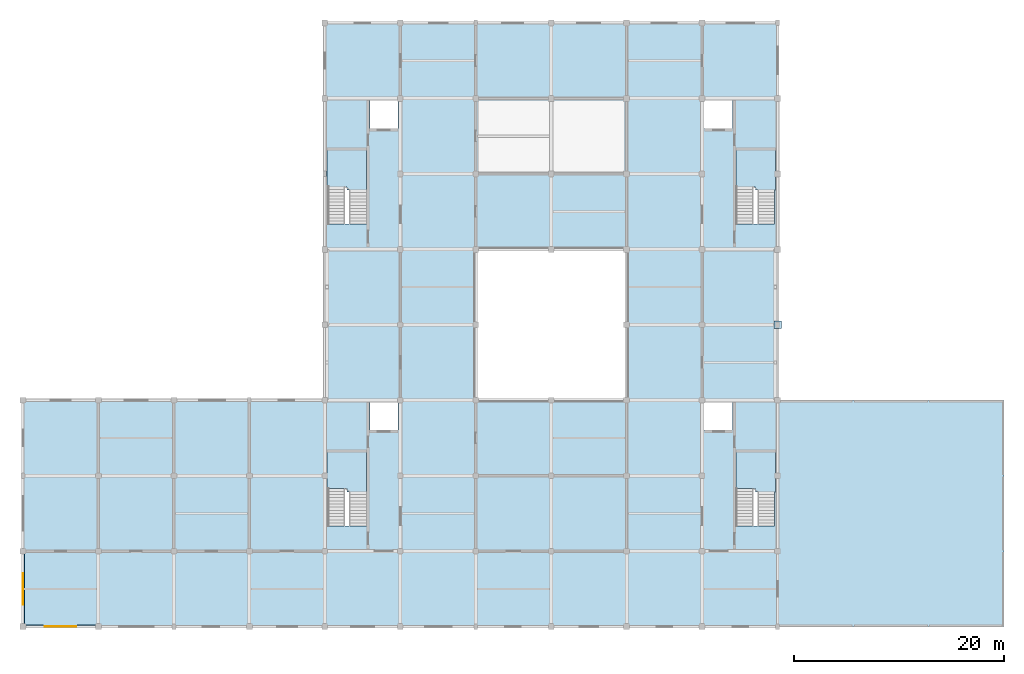
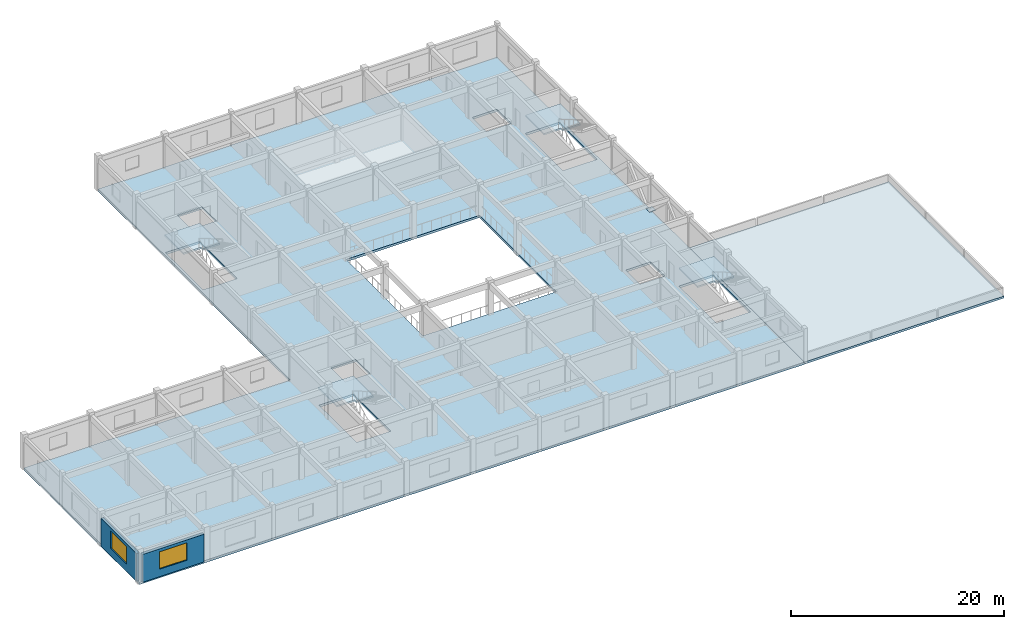
# One storey, part 3 of 8: 6 slabs, 2 walls, 2 windows, 1 plate, 2 openings, 4 elements without a shape of their own.
"""IFC4 building model written with IfcOpenShell, lengths in metres."""

import ifcopenshell
import ifcopenshell.guid

model = None  # the IFC model being written
_history = None  # IfcOwnerHistory: only IFC2X3 demands one
_inside = {}  # id of a spatial element -> (the spatial element, [elements in it])
_under = {}  # id of a project, library or spatial element -> (it, [spatial elements below it])
_declared = {}  # id of a project -> (the project, [libraries it declares])
_typed = {}  # id of a type object -> (the type object, [elements of that type])
_made_of = {}  # id of a material, layer set ... -> (it, [elements and type objects made of it])


def new_model(schema):
    """Start an empty IFC model of exactly this schema.

    Asked for "IFC4X3", IfcOpenShell would pick the latest addendum, in which some entities
    have other attributes; the version numbers below select the first issue.
    IFC2X3 requires an IfcOwnerHistory on every rooted entity: one is made here for all.
    """
    global model, _history
    if schema == "IFC4X3":
        model = ifcopenshell.file(schema_version=(4, 3, 0, 0))
    else:
        model = ifcopenshell.file(schema=schema)
    _inside.clear()
    _under.clear()
    _declared.clear()
    _typed.clear()
    _made_of.clear()
    _history = None
    if model.schema == "IFC2X3":
        org = make("IfcOrganization", Name="unknown")
        user = make(
            "IfcPersonAndOrganization",
            ThePerson=make("IfcPerson", FamilyName="unknown"),
            TheOrganization=org,
        )
        app = make(
            "IfcApplication",
            ApplicationDeveloper=org,
            Version="unknown",
            ApplicationFullName="unknown",
            ApplicationIdentifier="unknown",
        )
        _history = make(
            "IfcOwnerHistory",
            OwningUser=user,
            OwningApplication=app,
            ChangeAction="ADDED",
            CreationDate=0,
        )
    return model


def make(cls, **values):
    """One entity of the class cls with the attributes given. An attribute that is None is left unset."""
    return model.create_entity(
        cls, **{name: value for name, value in values.items() if value is not None}
    )


def rooted(cls, **values):
    """An entity with a GlobalId (a new one), such as an element, a storey or a relation."""
    return make(cls, GlobalId=ifcopenshell.guid.new(), OwnerHistory=_history, **values)


def si_unit(unit_type, name, prefix=None):
    """IfcSIUnit, for example si_unit("LENGTHUNIT", "METRE", prefix="MILLI")."""
    return make("IfcSIUnit", UnitType=unit_type, Prefix=prefix, Name=name)


def assignment(units):
    """IfcUnitAssignment: the units of a project."""
    return None if units is None else make("IfcUnitAssignment", Units=units)


def point(xyz):
    """IfcCartesianPoint."""
    return None if xyz is None else make("IfcCartesianPoint", Coordinates=xyz)


def direction(xyz):
    """IfcDirection."""
    return None if xyz is None else make("IfcDirection", DirectionRatios=xyz)


def frame(location, z_axis=None, x_axis=None):
    """IfcAxis2Placement3D, a coordinate frame: its origin and axes. An axis left out is left unset."""
    return make(
        "IfcAxis2Placement3D",
        Location=point(location),
        Axis=direction(z_axis),
        RefDirection=direction(x_axis),
    )


def frame_2d(location, x_axis=None):
    """IfcAxis2Placement2D, a coordinate frame in the plane: its origin and x axis."""
    return make(
        "IfcAxis2Placement2D", Location=point(location), RefDirection=direction(x_axis)
    )


def origin():
    """The frame at (0, 0, 0) with its axes left unset."""
    return frame((0.0, 0.0, 0.0))


def origin_2d():
    """The frame at (0, 0) in the plane with its x axis left unset."""
    return frame_2d((0.0, 0.0))


def place(relative_to, where):
    """IfcLocalPlacement: puts the frame where relative to a parent placement (None: the world)."""
    return make(
        "IfcLocalPlacement", PlacementRelTo=relative_to, RelativePlacement=where
    )


def context(
    kind, dimensions, precision=None, world=None, true_north=None, identifier=None
):
    """IfcGeometricRepresentationContext, for example the 3D "Model" context."""
    return make(
        "IfcGeometricRepresentationContext",
        ContextIdentifier=identifier,
        ContextType=kind,
        CoordinateSpaceDimension=dimensions,
        Precision=precision,
        WorldCoordinateSystem=world,
        TrueNorth=true_north,
    )


def subcontext(parent, identifier, kind, view, scale=None):
    """IfcGeometricRepresentationSubContext, for example "Body" below "Model"."""
    return make(
        "IfcGeometricRepresentationSubContext",
        ContextIdentifier=identifier,
        ContextType=kind,
        ParentContext=parent,
        TargetScale=scale,
        TargetView=view,
    )


def project(units=None, contexts=None):
    """IfcProject with its units and contexts."""
    return rooted(
        "IfcProject",
        Name="project",
        RepresentationContexts=contexts,
        UnitsInContext=assignment(units),
    )


def spatial(cls, under=None, at=None, **own):
    """A site, building, storey or space (cls), placed at a placement, below another one or the project."""
    s = rooted(cls, ObjectPlacement=at, **own)
    if under is not None:
        _under.setdefault(under.id(), (under, []))[1].append(s)
    return s


def polyline(points):
    """IfcPolyline through the points."""
    return make("IfcPolyline", Points=[point(p) for p in points])


def profile(cls, at=None, kind="AREA", **sizes):
    """A parametric profile (cls). Its sizes go by their IFC names, for example OverallWidth=200.0."""
    return make(cls, ProfileType=kind, Position=at, **sizes)


def rectangle(**sizes):
    """IfcRectangleProfileDef."""
    return profile("IfcRectangleProfileDef", **sizes)


def outline(outer, holes=None, kind="AREA"):
    """IfcArbitraryClosedProfileDef: a profile drawn as a closed curve; with holes, ...WithVoids."""
    if holes is None:
        return make("IfcArbitraryClosedProfileDef", ProfileType=kind, OuterCurve=outer)
    return make(
        "IfcArbitraryProfileDefWithVoids",
        ProfileType=kind,
        OuterCurve=outer,
        InnerCurves=holes,
    )


def extrude(swept, where, along, depth):
    """IfcExtrudedAreaSolid: the profile swept, set in the frame where, extruded along a direction by depth."""
    return make(
        "IfcExtrudedAreaSolid",
        SweptArea=swept,
        Position=where,
        ExtrudedDirection=direction(along),
        Depth=depth,
    )


def shape(context_of_items, identifier, shape_type, items):
    """IfcShapeRepresentation: the items that make up one representation, for example the "Body"."""
    return make(
        "IfcShapeRepresentation",
        ContextOfItems=context_of_items,
        RepresentationIdentifier=identifier,
        RepresentationType=shape_type,
        Items=items,
    )


def material(Name=None, Category=None):
    """IfcMaterial."""
    return make("IfcMaterial", Name=Name, Category=Category)


def layer(
    of_material, thickness, ventilated=None, Name=None, Category=None, Priority=None
):
    """IfcMaterialLayer: one layer of a wall or slab, of a material (None: an air gap)."""
    return make(
        "IfcMaterialLayer",
        Material=of_material,
        LayerThickness=thickness,
        IsVentilated=ventilated,
        Name=Name,
        Category=Category,
        Priority=Priority,
    )


def layer_set(layers, Name=None):
    """IfcMaterialLayerSet."""
    return make("IfcMaterialLayerSet", MaterialLayers=layers, LayerSetName=Name)


def made_of(thing, what):
    """Note that an element or type object is made of a material, layer set ...; save() writes the relation."""
    if what is not None:
        _made_of.setdefault(what.id(), (what, []))[1].append(thing)
    return thing


def type_object(cls, material=None, **own):
    """A type object (cls), such as IfcWallType, which elements share."""
    return made_of(rooted(cls, **own), material)


def element(
    cls,
    number,
    at=None,
    inside=None,
    cuts=None,
    type_object=None,
    material=None,
    context=None,
    identifier="Body",
    shape_type=None,
    held_by="IfcProductDefinitionShape",
    body=None,
    shapes=None,
    **own,
):
    """One element of the class cls, such as IfcWall. Its Tag is "e" and its number.

    at: its placement. inside: the storey or other place that contains it. cuts: it is an
    opening in that element (IfcRelVoidsElement). A single representation is given by context,
    identifier, shape_type and body (its items); several are given by shapes. held_by: the class
    of the entity that holds the representations. save() writes the other relations.
    """
    e = rooted(cls, Tag="e%d" % number, ObjectPlacement=at, **own)
    if body is not None:
        shapes = [shape(context, identifier, shape_type, body)]
    if shapes is not None:
        e.Representation = make(held_by, Representations=shapes)
    if inside is not None:
        _inside.setdefault(inside.id(), (inside, []))[1].append(e)
    if cuts is not None:
        rooted(
            "IfcRelVoidsElement", RelatingBuildingElement=cuts, RelatedOpeningElement=e
        )
    if type_object is not None:
        _typed.setdefault(type_object.id(), (type_object, []))[1].append(e)
    return made_of(e, material)


def fill(opening, filler):
    """IfcRelFillsElement: the door or window that sits in an opening."""
    return rooted(
        "IfcRelFillsElement",
        RelatingOpeningElement=opening,
        RelatedBuildingElement=filler,
    )


def aggregate(whole, parts):
    """IfcRelAggregates: a whole, such as a stair, and the parts it consists of."""
    return rooted("IfcRelAggregates", RelatingObject=whole, RelatedObjects=parts)


def save(model, path):
    """Write the relations noted so far, then the file.

    IfcRelAggregates (storeys below a building ...), IfcRelContainedInSpatialStructure (elements
    in a storey), IfcRelDefinesByType, IfcRelAssociatesMaterial and IfcRelDeclares: one each for
    every whole, place, type object, material and project.
    """
    for whole, parts in _under.values():
        aggregate(whole, parts)
    for where, things in _inside.values():
        rooted(
            "IfcRelContainedInSpatialStructure",
            RelatedElements=things,
            RelatingStructure=where,
        )
    for kind, things in _typed.values():
        rooted("IfcRelDefinesByType", RelatedObjects=things, RelatingType=kind)
    for what, things in _made_of.values():
        rooted("IfcRelAssociatesMaterial", RelatedObjects=things, RelatingMaterial=what)
    for by, libraries in _declared.values():
        rooted("IfcRelDeclares", RelatingContext=by, RelatedDefinitions=libraries)
    model.write(path)


model = new_model("IFC4")

# Units and contexts
model_context = context("Model", 3, precision=1e-05, world=origin(), true_north=direction((0.0, 1.0)))
body_context = subcontext(model_context, "Body", "Model", "MODEL_VIEW")
ifc_project = project(units=[si_unit("LENGTHUNIT", "METRE"), si_unit("AREAUNIT", "SQUARE_METRE"), si_unit("VOLUMEUNIT", "CUBIC_METRE"), si_unit("PLANEANGLEUNIT", "RADIAN"), si_unit("MASSUNIT", "GRAM", prefix="KILO")], contexts=[model_context])

# Site, building, storey
site_placement = place(None, origin())
site = spatial("IfcSite", under=ifc_project, at=site_placement, CompositionType="ELEMENT")
building_placement = place(site_placement, origin())
building = spatial("IfcBuilding", under=site, at=building_placement, Name="Cendaluz Park School", CompositionType="ELEMENT")
storey_placement = place(building_placement, frame((0.0, 0.0, 42.800048828125)))
storey = spatial("IfcBuildingStorey", under=building, at=storey_placement, Name="L10", CompositionType="ELEMENT", Elevation=42.800048828125)

# Plate
ifc_material_1 = material(Name="Steel S355", Category="steel")
ifc_layer_1 = layer(ifc_material_1, 0.030029296875)
ifc_layer_set_1 = layer_set([ifc_layer_1], Name="Steel S355")
plate_type = type_object("IfcPlateType", Name="GP-02", PredefinedType="SHEET", material=ifc_layer_set_1)
plate_placement = place(storey_placement, frame((108.0, 36.0, 0.0), z_axis=(0.0, 0.0, 1.0), x_axis=(1.0, 0.0, 0.0)))
element("IfcPlate", 1, at=plate_placement, inside=storey, type_object=plate_type, Name="GP-L10-BF01", PredefinedType="SHEET", context=body_context, shape_type="SweptSolid", body=[
    extrude(rectangle(XDim=0.699951171875, YDim=0.699951171875, at=origin_2d()), origin(), (0.0, 0.0, 1.0), 0.030029296875),
])

# Slab
ifc_material_2 = material(Name="Concrete C40/50", Category="concrete")
ifc_layer_2 = layer(ifc_material_2, 0.260009765625)
ifc_layer_set_2 = layer_set([ifc_layer_2], Name="Concrete C40/50")
slab_type_1 = type_object("IfcSlabType", Name="SL-FL-260", PredefinedType="FLOOR", material=ifc_layer_set_2)
slab_1_placement = place(storey_placement, frame((0.0, 0.0, -0.260009765625)))
element("IfcSlab", 2, at=slab_1_placement, inside=storey, type_object=slab_type_1, Name="SL-L10-01", PredefinedType="FLOOR", context=body_context, shape_type="SweptSolid", body=[
    extrude(outline(polyline([(64.800048828125, 64.800048828125), (108.0, 64.800048828125), (108.0, 7.199951171875), (36.0, 7.199951171875), (36.0, 28.800048828125), (64.800048828125, 28.800048828125), (64.800048828125, 64.800048828125)]), holes=[polyline([(93.60009765625, 28.800048828125), (93.60009765625, 43.199951171875), (79.199951171875, 43.199951171875), (79.199951171875, 28.800048828125), (93.60009765625, 28.800048828125)]), polyline([(68.77001953125, 16.820068359375), (68.77001953125, 23.840087890625), (65.080078125, 23.840087890625), (65.080078125, 16.820068359375), (68.77001953125, 16.820068359375)]), polyline([(69.10009765625, 25.93994140625), (71.800048828125, 25.93994140625), (71.800048828125, 28.60009765625), (69.10009765625, 28.60009765625), (69.10009765625, 25.93994140625)]), polyline([(104.030029296875, 23.840087890625), (104.030029296875, 16.820068359375), (107.719970703125, 16.820068359375), (107.719970703125, 23.840087890625), (104.030029296875, 23.840087890625)]), polyline([(103.699951171875, 28.60009765625), (101.0, 28.60009765625), (101.0, 25.93994140625), (103.699951171875, 25.93994140625), (103.699951171875, 28.60009765625)]), polyline([(68.77001953125, 45.6201171875), (68.77001953125, 52.639892578125), (65.080078125, 52.639892578125), (65.080078125, 45.6201171875), (68.77001953125, 45.6201171875)]), polyline([(69.10009765625, 54.739990234375), (71.800048828125, 54.739990234375), (71.800048828125, 57.39990234375), (69.10009765625, 57.39990234375), (69.10009765625, 54.739990234375)]), polyline([(104.030029296875, 52.639892578125), (104.030029296875, 45.6201171875), (107.719970703125, 45.6201171875), (107.719970703125, 52.639892578125), (104.030029296875, 52.639892578125)]), polyline([(103.699951171875, 57.39990234375), (101.0, 57.39990234375), (101.0, 54.739990234375), (103.699951171875, 54.739990234375), (103.699951171875, 57.39990234375)])]), origin(), (0.0, 0.0, 1.0), 0.260009765625),
])

# Stair, slab
ifc_material_3 = material(Name="Cross-laminated timber CLT C24", Category="wood")
stair_type = type_object("IfcStairType", Name="ST-400-165", PredefinedType="HALF_TURN_STAIR", material=ifc_material_3)
stair_1_placement = place(storey_placement, origin())
stair_1 = element("IfcStair", 3, at=stair_1_placement, inside=storey, type_object=stair_type, Name="ST-L10-C1", PredefinedType="HALF_TURN_STAIR")
ifc_layer_3 = layer(ifc_material_3, 0.179931640625)
ifc_layer_set_3 = layer_set([ifc_layer_3], Name="Cross-laminated timber CLT C24")
slab_type_2 = type_object("IfcSlabType", Name="SL-LD-180", PredefinedType="LANDING", material=ifc_layer_set_3)
slab_2_placement = place(storey_placement, frame((0.0, 0.0, 1.89990234375)))
slab_2 = element("IfcSlab", 4, at=slab_2_placement, type_object=slab_type_2, Name="SL-LD-L10-C1", PredefinedType="LANDING", context=body_context, shape_type="SweptSolid", body=[
    extrude(outline(polyline([(64.989990234375, 20.360107421875), (66.925048828125, 20.360107421875), (66.925048828125, 20.06005859375), (68.77001953125, 20.06005859375), (68.77001953125, 23.860107421875), (64.989990234375, 23.860107421875), (64.989990234375, 20.360107421875)])), origin(), (0.0, 0.0, 1.0), 0.179931640625),
])
aggregate(stair_1, [slab_2])

stair_2_placement = place(storey_placement, origin())
stair_2 = element("IfcStair", 5, at=stair_2_placement, inside=storey, type_object=stair_type, Name="ST-L10-C2", PredefinedType="HALF_TURN_STAIR")
slab_3_placement = place(storey_placement, frame((0.0, 0.0, 1.89990234375)))
slab_3 = element("IfcSlab", 6, at=slab_3_placement, type_object=slab_type_2, Name="SL-LD-L10-C2", PredefinedType="LANDING", context=body_context, shape_type="SweptSolid", body=[
    extrude(outline(polyline([(104.030029296875, 20.360107421875), (105.875, 20.360107421875), (105.875, 20.06005859375), (107.81005859375, 20.06005859375), (107.81005859375, 23.860107421875), (104.030029296875, 23.860107421875), (104.030029296875, 20.360107421875)])), origin(), (0.0, 0.0, 1.0), 0.179931640625),
])
aggregate(stair_2, [slab_3])

stair_3_placement = place(storey_placement, origin())
stair_3 = element("IfcStair", 7, at=stair_3_placement, inside=storey, type_object=stair_type, Name="ST-L10-C3", PredefinedType="HALF_TURN_STAIR")
slab_4_placement = place(storey_placement, frame((0.0, 0.0, 1.89990234375)))
slab_4 = element("IfcSlab", 8, at=slab_4_placement, type_object=slab_type_2, Name="SL-LD-L10-C3", PredefinedType="LANDING", context=body_context, shape_type="SweptSolid", body=[
    extrude(outline(polyline([(64.989990234375, 49.159912109375), (66.925048828125, 49.159912109375), (66.925048828125, 48.860107421875), (68.77001953125, 48.860107421875), (68.77001953125, 52.659912109375), (64.989990234375, 52.659912109375), (64.989990234375, 49.159912109375)])), origin(), (0.0, 0.0, 1.0), 0.179931640625),
])
aggregate(stair_3, [slab_4])

stair_4_placement = place(storey_placement, origin())
stair_4 = element("IfcStair", 9, at=stair_4_placement, inside=storey, type_object=stair_type, Name="ST-L10-C4", PredefinedType="HALF_TURN_STAIR")
slab_5_placement = place(storey_placement, frame((0.0, 0.0, 1.89990234375)))
slab_5 = element("IfcSlab", 10, at=slab_5_placement, type_object=slab_type_2, Name="SL-LD-L10-C4", PredefinedType="LANDING", context=body_context, shape_type="SweptSolid", body=[
    extrude(outline(polyline([(104.030029296875, 49.159912109375), (105.875, 49.159912109375), (105.875, 48.860107421875), (107.81005859375, 48.860107421875), (107.81005859375, 52.659912109375), (104.030029296875, 52.659912109375), (104.030029296875, 49.159912109375)])), origin(), (0.0, 0.0, 1.0), 0.179931640625),
])
aggregate(stair_4, [slab_5])

# Slab
ifc_layer_4 = layer(ifc_material_3, 0.239990234375)
ifc_layer_set_4 = layer_set([ifc_layer_4], Name="Cross-laminated timber CLT C24")
slab_type_3 = type_object("IfcSlabType", Name="SL-RF-240-CLT", PredefinedType="ROOF", material=ifc_layer_set_4)
slab_6_placement = place(storey_placement, frame((0.0, 0.0, -0.239990234375)))
element("IfcSlab", 11, at=slab_6_placement, inside=storey, type_object=slab_type_3, Name="SL-RF-L09-02", PredefinedType="ROOF", context=body_context, shape_type="SweptSolid", body=[
    extrude(outline(polyline([(108.0, 28.800048828125), (129.60009765625, 28.800048828125), (129.60009765625, 7.199951171875), (108.0, 7.199951171875), (108.0, 28.800048828125)])), origin(), (0.0, 0.0, 1.0), 0.239990234375),
])

# Wall, opening, window
ifc_layer_5 = layer(ifc_material_3, 0.300048828125)
ifc_layer_set_5 = layer_set([ifc_layer_5], Name="Cross-laminated timber CLT C24")
wall_type = type_object("IfcWallType", Name="W-EX30", PredefinedType="SOLIDWALL", material=ifc_layer_set_5)
wall_1_placement = place(storey_placement, frame((36.280029296875, 7.199951171875, 0.0), z_axis=(0.0, 0.0, 1.0), x_axis=(1.0, 0.0, 0.0)))
wall_1 = element("IfcWall", 12, at=wall_1_placement, inside=storey, type_object=wall_type, Name="WL-FK-AA0", PredefinedType="SOLIDWALL", context=body_context, shape_type="SweptSolid", body=[
    extrude(rectangle(XDim=6.639892578125, YDim=0.300048828125, at=frame_2d((3.31982421875, 0.0))), origin(), (0.0, 0.0, 1.0), 3.179931640625),
])
opening_1_placement = place(wall_1_placement, frame((1.820068359375, 0.0, 0.85009765625)))
opening_1 = element("IfcOpeningElement", 13, at=opening_1_placement, cuts=wall_1, Name="Opening WN-14", PredefinedType="OPENING", context=body_context, shape_type="SweptSolid", body=[
    extrude(rectangle(XDim=3.0, YDim=2.0, at=frame_2d((1.5, 1.0))), frame((0.0, 0.162109375, 0.0), z_axis=(0.0, -1.0, 0.0), x_axis=(1.0, 0.0, 0.0)), (0.0, 0.0, 1.0), 0.323974609375),
])
ifc_material_4 = material(Name="Tempered Low-E Double Glazing", Category="glass")
window_type = type_object("IfcWindowType", Name="WN-14", PartitioningType="SINGLE_PANEL", PredefinedType="WINDOW", material=ifc_material_4)
window_1_placement = place(opening_1_placement, origin())
window_1 = element("IfcWindow", 14, at=window_1_placement, inside=storey, type_object=window_type, Name="WN-L10-001", OverallHeight=2.0, OverallWidth=3.0, PartitioningType="SINGLE_PANEL", PredefinedType="WINDOW", context=body_context, shape_type="SweptSolid", body=[
    extrude(rectangle(XDim=3.0, YDim=2.0, at=frame_2d((1.5, 1.0))), frame((0.0, 0.030029296875, 0.0), z_axis=(0.0, -1.0, 0.0), x_axis=(1.0, 0.0, 0.0)), (0.0, 0.0, 1.0), 0.06005859375),
])
fill(opening_1, window_1)

wall_2_placement = place(storey_placement, frame((36.0, 7.47998046875, 0.0), z_axis=(0.0, 0.0, 1.0), x_axis=(0.0, 1.0, 0.0)))
wall_2 = element("IfcWall", 15, at=wall_2_placement, inside=storey, type_object=wall_type, Name="WL-FK-AA1", PredefinedType="SOLIDWALL", context=body_context, shape_type="SweptSolid", body=[
    extrude(rectangle(XDim=6.64013671875, YDim=0.300048828125, at=frame_2d((3.320068359375, 0.0))), origin(), (0.0, 0.0, 1.0), 3.179931640625),
])
opening_2_placement = place(wall_2_placement, frame((1.820068359375, 0.0, 0.85009765625)))
opening_2 = element("IfcOpeningElement", 16, at=opening_2_placement, cuts=wall_2, Name="Opening WN-14", PredefinedType="OPENING", context=body_context, shape_type="SweptSolid", body=[
    extrude(rectangle(XDim=3.0, YDim=2.0, at=frame_2d((1.5, 1.0))), frame((0.0, 0.162109375, 0.0), z_axis=(0.0, -1.0, 0.0), x_axis=(1.0, 0.0, 0.0)), (0.0, 0.0, 1.0), 0.323974609375),
])
window_2_placement = place(opening_2_placement, origin())
window_2 = element("IfcWindow", 17, at=window_2_placement, inside=storey, type_object=window_type, Name="WN-L10-002", OverallHeight=2.0, OverallWidth=3.0, PartitioningType="SINGLE_PANEL", PredefinedType="WINDOW", context=body_context, shape_type="SweptSolid", body=[
    extrude(rectangle(XDim=3.0, YDim=2.0, at=frame_2d((1.5, 1.0))), frame((0.0, 0.030029296875, 0.0), z_axis=(0.0, -1.0, 0.0), x_axis=(1.0, 0.0, 0.0)), (0.0, 0.0, 1.0), 0.06005859375),
])
fill(opening_2, window_2)

save(model, "model.ifc")
